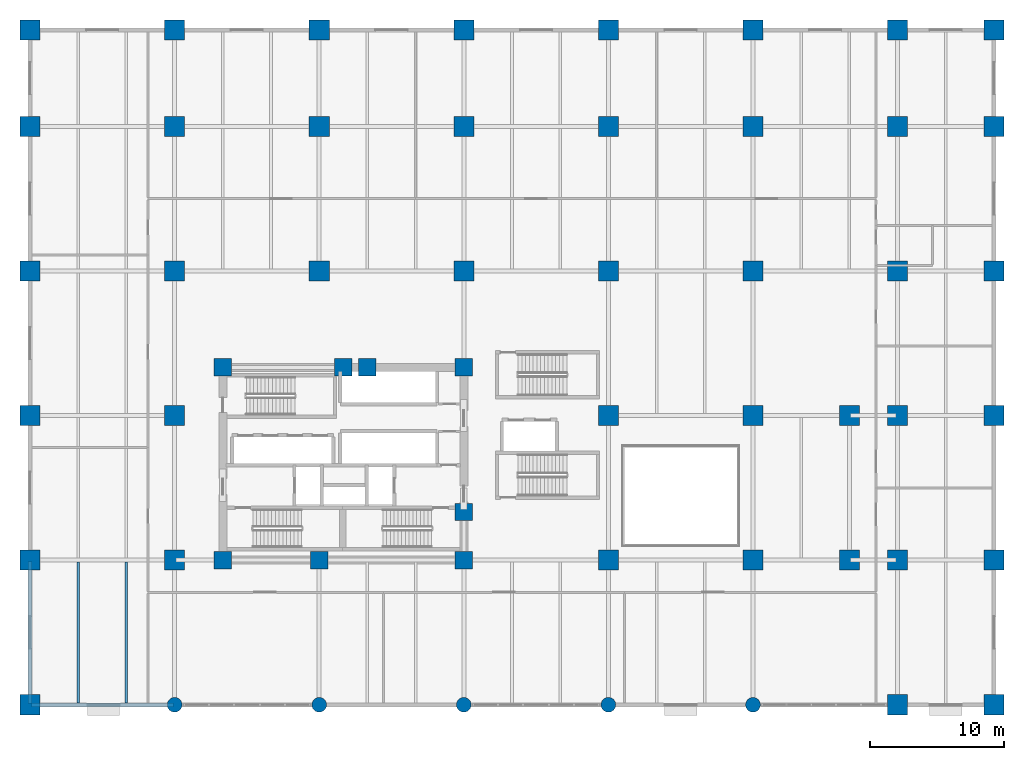
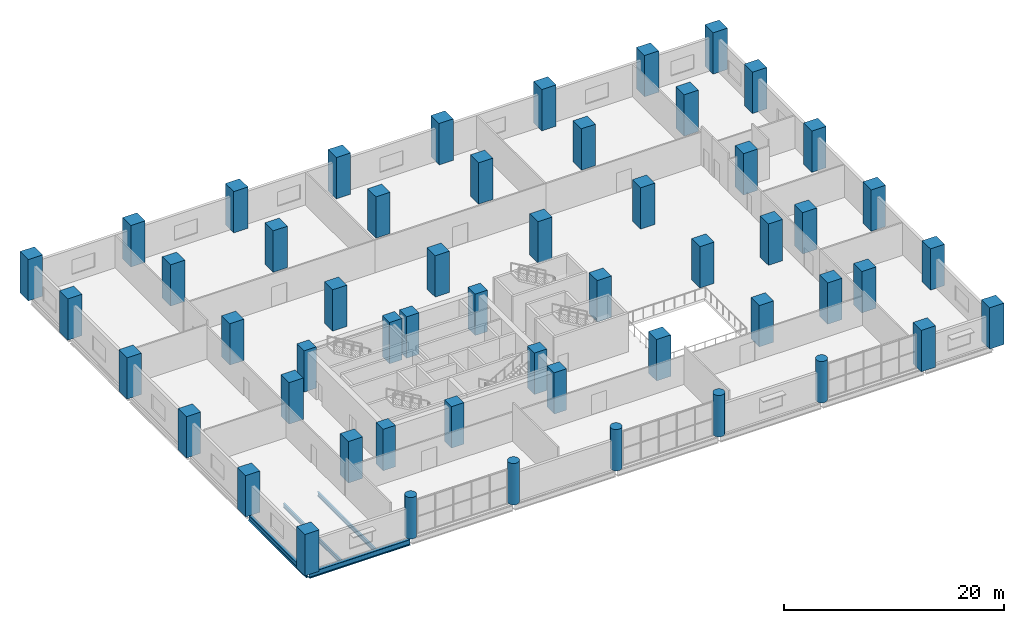
# One storey, part 1 of 16: 54 columns, 4 beams.
"""IFC4 building model written with IfcOpenShell, lengths in metres."""

from ifc_helpers import new_model, si_unit, direction, frame, origin, origin_2d, place, context, subcontext, project, spatial, rectangle, circle, i_section, extrude, material, material_profile, profile_set, type_object, element, save


model = new_model("IFC4")

# Units and contexts
model_context = context("Model", 3, precision=1e-05, world=origin(), true_north=direction((0.0, 1.0)))
body_context = subcontext(model_context, "Body", "Model", "MODEL_VIEW")
ifc_project = project(units=[si_unit("LENGTHUNIT", "METRE"), si_unit("AREAUNIT", "SQUARE_METRE"), si_unit("VOLUMEUNIT", "CUBIC_METRE"), si_unit("PLANEANGLEUNIT", "RADIAN"), si_unit("MASSUNIT", "GRAM", prefix="KILO")], contexts=[model_context])

# Site, building, storey
site_placement = place(None, origin())
site = spatial("IfcSite", under=ifc_project, at=site_placement, CompositionType="ELEMENT")
building_placement = place(site_placement, origin())
building = spatial("IfcBuilding", under=site, at=building_placement, Name="Solnavia Interchange Tower", CompositionType="ELEMENT")
storey_placement = place(building_placement, frame((0.0, 0.0, 10.199951171875)))
storey = spatial("IfcBuildingStorey", under=building, at=storey_placement, Name="L02", CompositionType="ELEMENT", Elevation=10.199951171875)

# Columns
ifc_material_1 = material(Name="Concrete C60/75", Category="concrete")
ifc_material_profile_1 = material_profile(ifc_material_1, rectangle(XDim=1.300048828125, YDim=1.300048828125, at=origin_2d()), Name="RC 1300x1300")
ifc_profile_set_1 = profile_set([ifc_material_profile_1], Name="Concrete C60/75")
column_type_1 = type_object("IfcColumnType", Name="Col-RC-1300x1300", PredefinedType="COLUMN", material=ifc_profile_set_1)
for number, where, z_axis, x_axis, name in (
    (1, (14.39990234375, 10.800048828125, 0.0), (0.0, 0.0, 1.0), (1.0, 0.0, 0.0), "COL-L02-P13 Podium core column"),
    (2, (14.39990234375, 25.199951171875, 0.0), (0.0, 0.0, 1.0), (1.0, 0.0, 0.0), "COL-L02-P14 Podium core column"),
    (3, (21.60009765625, 10.800048828125, 0.0), (0.0, 0.0, 1.0), (1.0, 0.0, 0.0), "COL-L02-P16 Podium core column"),
    (4, (23.39990234375, 25.199951171875, 0.0), (0.0, 0.0, 1.0), (1.0, 0.0, 0.0), "COL-L02-P20 Podium core column"),
    (5, (25.199951171875, 25.199951171875, 0.0), (0.0, 0.0, 1.0), (1.0, 0.0, 0.0), "COL-L02-P21 Podium core column"),
    (6, (32.39990234375, 10.800048828125, 0.0), (0.0, 0.0, 1.0), (1.0, 0.0, 0.0), "COL-L02-P23 Podium core column"),
    (7, (32.39990234375, 14.39990234375, 0.0), (0.0, 0.0, 1.0), (1.0, 0.0, 0.0), "COL-L02-P24 Podium core column"),
    (8, (32.39990234375, 25.199951171875, 0.0), (0.0, 0.0, 1.0), (1.0, 0.0, 0.0), "COL-L02-P25 Podium core column"),
):
    element("IfcColumn", number, at=place(storey_placement, frame(where, z_axis=z_axis, x_axis=x_axis)), inside=storey, type_object=column_type_1, Name=name, PredefinedType="COLUMN", context=body_context, shape_type="SweptSolid", body=[
        extrude(rectangle(XDim=1.300048828125, YDim=1.300048828125, at=origin_2d()), origin(), (0.0, 0.0, 1.0), 4.60009765625),
    ])
ifc_material_profile_2 = material_profile(ifc_material_1, rectangle(XDim=1.5, YDim=1.5, at=origin_2d()), Name="RC 1500x1500")
ifc_profile_set_2 = profile_set([ifc_material_profile_2], Name="Concrete C60/75")
column_type_2 = type_object("IfcColumnType", Name="Col-RC-1500x1500", PredefinedType="COLUMN", material=ifc_profile_set_2)
for number, where, z_axis, x_axis, name in (
    (9, (0.0, 0.0, 0.0), (0.0, 0.0, 1.0), (1.0, 0.0, 0.0), "COL-L02-P01 Podium concourse column"),
    (10, (0.0, 10.800048828125, 0.0), (0.0, 0.0, 1.0), (1.0, 0.0, 0.0), "COL-L02-P02 Podium concourse column"),
    (11, (0.0, 21.60009765625, 0.0), (0.0, 0.0, 1.0), (1.0, 0.0, 0.0), "COL-L02-P03 Podium concourse column"),
    (12, (0.0, 32.39990234375, 0.0), (0.0, 0.0, 1.0), (1.0, 0.0, 0.0), "COL-L02-P04 Podium concourse column"),
    (13, (0.0, 43.199951171875, 0.0), (0.0, 0.0, 1.0), (1.0, 0.0, 0.0), "COL-L02-P05 Podium concourse column"),
    (14, (0.0, 50.39990234375, 0.0), (0.0, 0.0, 1.0), (1.0, 0.0, 0.0), "COL-L02-P06 Podium concourse column"),
    (15, (10.800048828125, 10.800048828125, 0.0), (0.0, 0.0, 1.0), (1.0, 0.0, 0.0), "COL-L02-P08 Podium concourse column"),
    (16, (10.800048828125, 21.60009765625, 0.0), (0.0, 0.0, 1.0), (1.0, 0.0, 0.0), "COL-L02-P09 Podium concourse column"),
    (17, (10.800048828125, 32.39990234375, 0.0), (0.0, 0.0, 1.0), (1.0, 0.0, 0.0), "COL-L02-P10 Podium concourse column"),
    (18, (10.800048828125, 43.199951171875, 0.0), (0.0, 0.0, 1.0), (1.0, 0.0, 0.0), "COL-L02-P11 Podium concourse column"),
    (19, (10.800048828125, 50.39990234375, 0.0), (0.0, 0.0, 1.0), (1.0, 0.0, 0.0), "COL-L02-P12 Podium concourse column"),
    (20, (21.60009765625, 32.39990234375, 0.0), (0.0, 0.0, 1.0), (1.0, 0.0, 0.0), "COL-L02-P17 Podium concourse column"),
    (21, (21.60009765625, 43.199951171875, 0.0), (0.0, 0.0, 1.0), (1.0, 0.0, 0.0), "COL-L02-P18 Podium concourse column"),
    (22, (21.60009765625, 50.39990234375, 0.0), (0.0, 0.0, 1.0), (1.0, 0.0, 0.0), "COL-L02-P19 Podium concourse column"),
    (23, (32.39990234375, 32.39990234375, 0.0), (0.0, 0.0, 1.0), (1.0, 0.0, 0.0), "COL-L02-P26 Podium concourse column"),
    (24, (32.39990234375, 43.199951171875, 0.0), (0.0, 0.0, 1.0), (1.0, 0.0, 0.0), "COL-L02-P27 Podium concourse column"),
    (25, (32.39990234375, 50.39990234375, 0.0), (0.0, 0.0, 1.0), (1.0, 0.0, 0.0), "COL-L02-P28 Podium concourse column"),
    (26, (43.199951171875, 10.800048828125, 0.0), (0.0, 0.0, 1.0), (1.0, 0.0, 0.0), "COL-L02-P30 Podium concourse column"),
    (27, (43.199951171875, 21.60009765625, 0.0), (0.0, 0.0, 1.0), (1.0, 0.0, 0.0), "COL-L02-P31 Podium concourse column"),
    (28, (43.199951171875, 32.39990234375, 0.0), (0.0, 0.0, 1.0), (1.0, 0.0, 0.0), "COL-L02-P32 Podium concourse column"),
    (29, (43.199951171875, 43.199951171875, 0.0), (0.0, 0.0, 1.0), (1.0, 0.0, 0.0), "COL-L02-P33 Podium concourse column"),
    (30, (43.199951171875, 50.39990234375, 0.0), (0.0, 0.0, 1.0), (1.0, 0.0, 0.0), "COL-L02-P34 Podium concourse column"),
    (31, (54.0, 10.800048828125, 0.0), (0.0, 0.0, 1.0), (1.0, 0.0, 0.0), "COL-L02-P36 Podium concourse column"),
    (32, (54.0, 21.60009765625, 0.0), (0.0, 0.0, 1.0), (1.0, 0.0, 0.0), "COL-L02-P37 Podium concourse column"),
    (33, (54.0, 32.39990234375, 0.0), (0.0, 0.0, 1.0), (1.0, 0.0, 0.0), "COL-L02-P38 Podium concourse column"),
    (34, (54.0, 43.199951171875, 0.0), (0.0, 0.0, 1.0), (1.0, 0.0, 0.0), "COL-L02-P39 Podium concourse column"),
    (35, (54.0, 50.39990234375, 0.0), (0.0, 0.0, 1.0), (1.0, 0.0, 0.0), "COL-L02-P40 Podium concourse column"),
    (36, (61.199951171875, 10.800048828125, 0.0), (0.0, 0.0, 1.0), (1.0, 0.0, 0.0), "COL-L02-P41 Podium concourse column"),
    (37, (61.199951171875, 21.60009765625, 0.0), (0.0, 0.0, 1.0), (1.0, 0.0, 0.0), "COL-L02-P42 Podium concourse column"),
    (38, (64.800048828125, 0.0, 0.0), (0.0, 0.0, 1.0), (1.0, 0.0, 0.0), "COL-L02-P43 Podium concourse column"),
    (39, (64.800048828125, 10.800048828125, 0.0), (0.0, 0.0, 1.0), (1.0, 0.0, 0.0), "COL-L02-P44 Podium concourse column"),
    (40, (64.800048828125, 21.60009765625, 0.0), (0.0, 0.0, 1.0), (1.0, 0.0, 0.0), "COL-L02-P45 Podium concourse column"),
    (41, (64.800048828125, 32.39990234375, 0.0), (0.0, 0.0, 1.0), (1.0, 0.0, 0.0), "COL-L02-P46 Podium concourse column"),
    (42, (64.800048828125, 43.199951171875, 0.0), (0.0, 0.0, 1.0), (1.0, 0.0, 0.0), "COL-L02-P47 Podium concourse column"),
    (43, (64.800048828125, 50.39990234375, 0.0), (0.0, 0.0, 1.0), (1.0, 0.0, 0.0), "COL-L02-P48 Podium concourse column"),
    (44, (72.0, 0.0, 0.0), (0.0, 0.0, 1.0), (1.0, 0.0, 0.0), "COL-L02-P49 Podium concourse column"),
    (45, (72.0, 10.800048828125, 0.0), (0.0, 0.0, 1.0), (1.0, 0.0, 0.0), "COL-L02-P50 Podium concourse column"),
    (46, (72.0, 21.60009765625, 0.0), (0.0, 0.0, 1.0), (1.0, 0.0, 0.0), "COL-L02-P51 Podium concourse column"),
    (47, (72.0, 32.39990234375, 0.0), (0.0, 0.0, 1.0), (1.0, 0.0, 0.0), "COL-L02-P52 Podium concourse column"),
    (48, (72.0, 43.199951171875, 0.0), (0.0, 0.0, 1.0), (1.0, 0.0, 0.0), "COL-L02-P53 Podium concourse column"),
    (49, (72.0, 50.39990234375, 0.0), (0.0, 0.0, 1.0), (1.0, 0.0, 0.0), "COL-L02-P54 Podium concourse column"),
):
    element("IfcColumn", number, at=place(storey_placement, frame(where, z_axis=z_axis, x_axis=x_axis)), inside=storey, type_object=column_type_2, Name=name, PredefinedType="COLUMN", context=body_context, shape_type="SweptSolid", body=[
        extrude(rectangle(XDim=1.5, YDim=1.5, at=origin_2d()), origin(), (0.0, 0.0, 1.0), 4.60009765625),
    ])
ifc_material_profile_3 = material_profile(ifc_material_1, circle(Radius=0.550048828125, at=origin_2d()), Name="RC D1100")
ifc_profile_set_3 = profile_set([ifc_material_profile_3], Name="Concrete C60/75")
column_type_3 = type_object("IfcColumnType", Name="Col-RC-D1100", PredefinedType="COLUMN", material=ifc_profile_set_3)
for number, where, z_axis, x_axis, name in (
    (50, (10.800048828125, 0.0, 0.0), (0.0, 0.0, 1.0), (1.0, 0.0, 0.0), "COL-L02-P07 Podium concourse column"),
    (51, (21.60009765625, 0.0, 0.0), (0.0, 0.0, 1.0), (1.0, 0.0, 0.0), "COL-L02-P15 Podium concourse column"),
    (52, (32.39990234375, 0.0, 0.0), (0.0, 0.0, 1.0), (1.0, 0.0, 0.0), "COL-L02-P22 Podium concourse column"),
    (53, (43.199951171875, 0.0, 0.0), (0.0, 0.0, 1.0), (1.0, 0.0, 0.0), "COL-L02-P29 Podium concourse column"),
    (54, (54.0, 0.0, 0.0), (0.0, 0.0, 1.0), (1.0, 0.0, 0.0), "COL-L02-P35 Podium concourse column"),
):
    element("IfcColumn", number, at=place(storey_placement, frame(where, z_axis=z_axis, x_axis=x_axis)), inside=storey, type_object=column_type_3, Name=name, PredefinedType="COLUMN", context=body_context, shape_type="SweptSolid", body=[
        extrude(circle(Radius=0.550048828125, at=origin_2d()), origin(), (0.0, 0.0, 1.0), 4.60009765625),
    ])

# Beams
ifc_material_2 = material(Name="Steel S460", Category="steel")
ifc_material_profile_4 = material_profile(ifc_material_2, i_section(OverallWidth=0.300048828125, OverallDepth=0.64990234375, WebThickness=0.01611328125, FlangeThickness=0.031005859375, FilletRadius=0.027099609375, at=origin_2d()), Name="HEB 650")
ifc_profile_set_4 = profile_set([ifc_material_profile_4], Name="Steel S460")
beam_type_1 = type_object("IfcBeamType", Name="Beam-Girder-HEB650", PredefinedType="BEAM", material=ifc_profile_set_4)
for number, where, z_axis, x_axis, name in (
    (55, (0.10009765625, 0.0, -0.625), (1.0, 0.0, 0.0), (0.0, 1.0, 0.0), "GRD-L02-01 Podium primary girder"),
    (56, (0.0, 0.10009765625, -0.625), (0.0, 1.0, 0.0), (-1.0, 0.0, 0.0), "GRD-L02-44 Podium primary girder"),
):
    element("IfcBeam", number, at=place(storey_placement, frame(where, z_axis=z_axis, x_axis=x_axis)), inside=storey, type_object=beam_type_1, Name=name, PredefinedType="BEAM", context=body_context, shape_type="SweptSolid", body=[
        extrude(i_section(OverallWidth=0.300048828125, OverallDepth=0.64990234375, WebThickness=0.01611328125, FlangeThickness=0.031005859375, FilletRadius=0.027099609375, at=origin_2d()), origin(), (0.0, 0.0, 1.0), 10.599853515625),
    ])
ifc_material_3 = material(Name="Steel S355", Category="steel")
ifc_material_profile_5 = material_profile(ifc_material_3, i_section(OverallWidth=0.18994140625, OverallDepth=0.449951171875, WebThickness=0.009521484375, FlangeThickness=0.0146484375, FilletRadius=0.02099609375, at=origin_2d()), Name="IPE 450")
ifc_profile_set_5 = profile_set([ifc_material_profile_5], Name="Steel S355")
beam_type_2 = type_object("IfcBeamType", Name="Beam-Joist-IPE450", PredefinedType="JOIST", material=ifc_profile_set_5)
for number, where, z_axis, x_axis, name in (
    (57, (3.60009765625, 0.14990234375, -0.52490234375), (0.0, 1.0, 0.0), (-1.0, 0.0, 0.0), "JST-L02-01 Podium composite floor joist"),
    (58, (7.199951171875, 0.14990234375, -0.52490234375), (0.0, 1.0, 0.0), (-1.0, 0.0, 0.0), "JST-L02-06 Podium composite floor joist"),
):
    element("IfcBeam", number, at=place(storey_placement, frame(where, z_axis=z_axis, x_axis=x_axis)), inside=storey, type_object=beam_type_2, Name=name, PredefinedType="JOIST", context=body_context, shape_type="SweptSolid", body=[
        extrude(i_section(OverallWidth=0.18994140625, OverallDepth=0.449951171875, WebThickness=0.009521484375, FlangeThickness=0.0146484375, FilletRadius=0.02099609375, at=origin_2d()), origin(), (0.0, 0.0, 1.0), 10.5),
    ])

save(model, "model.ifc")
